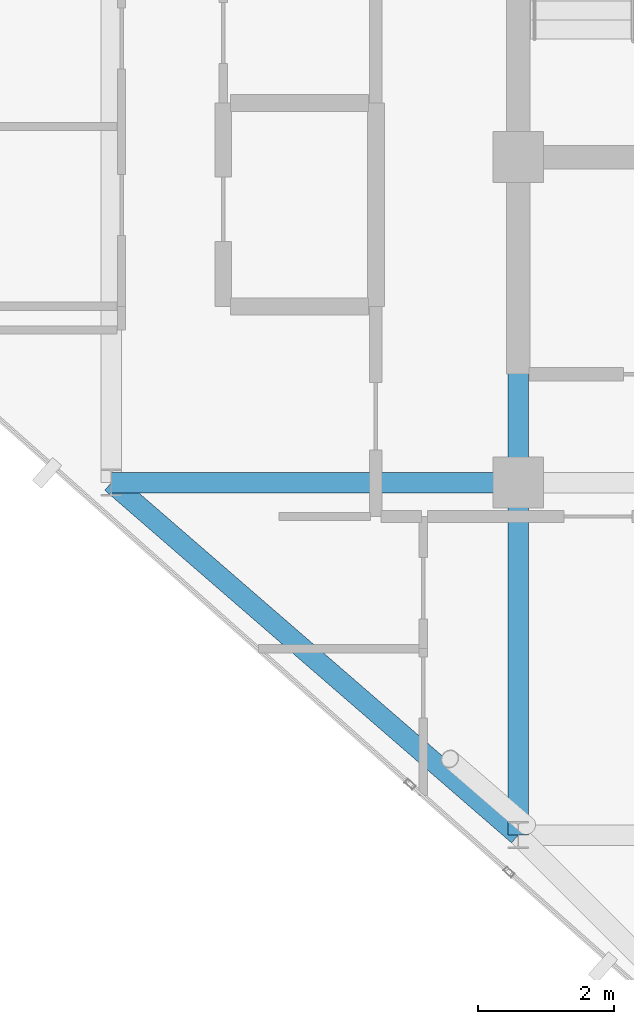
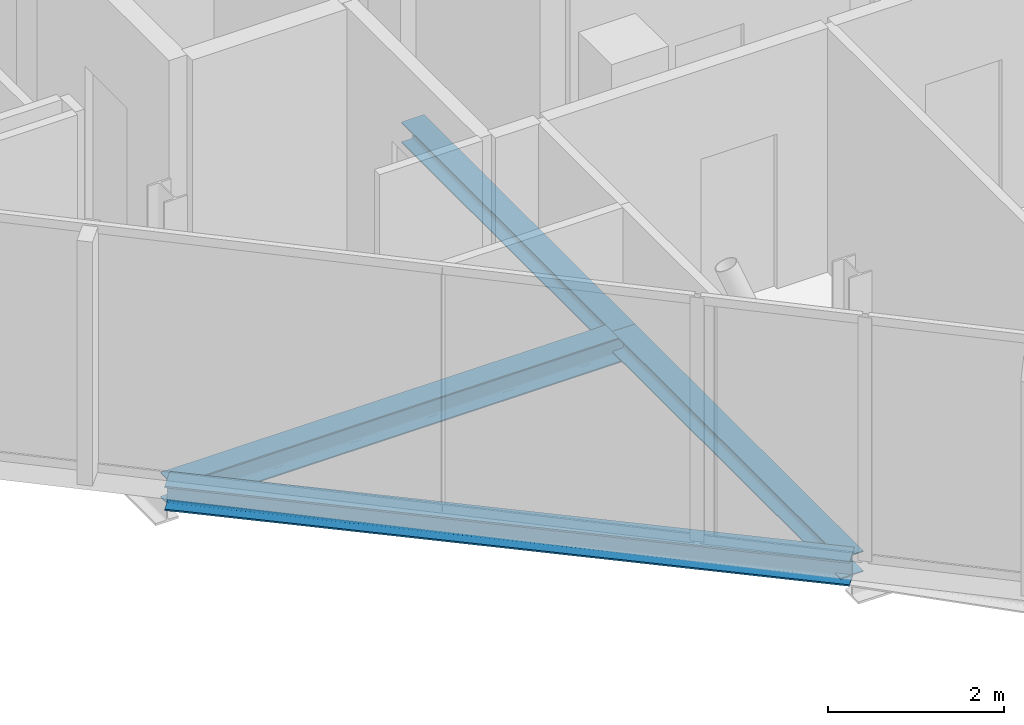
# One storey, part 5 of 28: 4 beams.
"""IFC4 building model written with IfcOpenShell, lengths in metres."""

import ifcopenshell
import ifcopenshell.guid

model = None  # the IFC model being written
_history = None  # IfcOwnerHistory: only IFC2X3 demands one
_inside = {}  # id of a spatial element -> (the spatial element, [elements in it])
_under = {}  # id of a project, library or spatial element -> (it, [spatial elements below it])
_declared = {}  # id of a project -> (the project, [libraries it declares])
_typed = {}  # id of a type object -> (the type object, [elements of that type])
_made_of = {}  # id of a material, layer set ... -> (it, [elements and type objects made of it])


def new_model(schema):
    """Start an empty IFC model of exactly this schema.

    Asked for "IFC4X3", IfcOpenShell would pick the latest addendum, in which some entities
    have other attributes; the version numbers below select the first issue.
    IFC2X3 requires an IfcOwnerHistory on every rooted entity: one is made here for all.
    """
    global model, _history
    if schema == "IFC4X3":
        model = ifcopenshell.file(schema_version=(4, 3, 0, 0))
    else:
        model = ifcopenshell.file(schema=schema)
    _inside.clear()
    _under.clear()
    _declared.clear()
    _typed.clear()
    _made_of.clear()
    _history = None
    if model.schema == "IFC2X3":
        org = make("IfcOrganization", Name="unknown")
        user = make(
            "IfcPersonAndOrganization",
            ThePerson=make("IfcPerson", FamilyName="unknown"),
            TheOrganization=org,
        )
        app = make(
            "IfcApplication",
            ApplicationDeveloper=org,
            Version="unknown",
            ApplicationFullName="unknown",
            ApplicationIdentifier="unknown",
        )
        _history = make(
            "IfcOwnerHistory",
            OwningUser=user,
            OwningApplication=app,
            ChangeAction="ADDED",
            CreationDate=0,
        )
    return model


def make(cls, **values):
    """One entity of the class cls with the attributes given. An attribute that is None is left unset."""
    return model.create_entity(
        cls, **{name: value for name, value in values.items() if value is not None}
    )


def rooted(cls, **values):
    """An entity with a GlobalId (a new one), such as an element, a storey or a relation."""
    return make(cls, GlobalId=ifcopenshell.guid.new(), OwnerHistory=_history, **values)


def si_unit(unit_type, name, prefix=None):
    """IfcSIUnit, for example si_unit("LENGTHUNIT", "METRE", prefix="MILLI")."""
    return make("IfcSIUnit", UnitType=unit_type, Prefix=prefix, Name=name)


def assignment(units):
    """IfcUnitAssignment: the units of a project."""
    return None if units is None else make("IfcUnitAssignment", Units=units)


def point(xyz):
    """IfcCartesianPoint."""
    return None if xyz is None else make("IfcCartesianPoint", Coordinates=xyz)


def direction(xyz):
    """IfcDirection."""
    return None if xyz is None else make("IfcDirection", DirectionRatios=xyz)


def frame(location, z_axis=None, x_axis=None):
    """IfcAxis2Placement3D, a coordinate frame: its origin and axes. An axis left out is left unset."""
    return make(
        "IfcAxis2Placement3D",
        Location=point(location),
        Axis=direction(z_axis),
        RefDirection=direction(x_axis),
    )


def frame_2d(location, x_axis=None):
    """IfcAxis2Placement2D, a coordinate frame in the plane: its origin and x axis."""
    return make(
        "IfcAxis2Placement2D", Location=point(location), RefDirection=direction(x_axis)
    )


def origin():
    """The frame at (0, 0, 0) with its axes left unset."""
    return frame((0.0, 0.0, 0.0))


def origin_2d():
    """The frame at (0, 0) in the plane with its x axis left unset."""
    return frame_2d((0.0, 0.0))


def place(relative_to, where):
    """IfcLocalPlacement: puts the frame where relative to a parent placement (None: the world)."""
    return make(
        "IfcLocalPlacement", PlacementRelTo=relative_to, RelativePlacement=where
    )


def context(
    kind, dimensions, precision=None, world=None, true_north=None, identifier=None
):
    """IfcGeometricRepresentationContext, for example the 3D "Model" context."""
    return make(
        "IfcGeometricRepresentationContext",
        ContextIdentifier=identifier,
        ContextType=kind,
        CoordinateSpaceDimension=dimensions,
        Precision=precision,
        WorldCoordinateSystem=world,
        TrueNorth=true_north,
    )


def subcontext(parent, identifier, kind, view, scale=None):
    """IfcGeometricRepresentationSubContext, for example "Body" below "Model"."""
    return make(
        "IfcGeometricRepresentationSubContext",
        ContextIdentifier=identifier,
        ContextType=kind,
        ParentContext=parent,
        TargetScale=scale,
        TargetView=view,
    )


def project(units=None, contexts=None):
    """IfcProject with its units and contexts."""
    return rooted(
        "IfcProject",
        Name="project",
        RepresentationContexts=contexts,
        UnitsInContext=assignment(units),
    )


def spatial(cls, under=None, at=None, **own):
    """A site, building, storey or space (cls), placed at a placement, below another one or the project."""
    s = rooted(cls, ObjectPlacement=at, **own)
    if under is not None:
        _under.setdefault(under.id(), (under, []))[1].append(s)
    return s


def profile(cls, at=None, kind="AREA", **sizes):
    """A parametric profile (cls). Its sizes go by their IFC names, for example OverallWidth=200.0."""
    return make(cls, ProfileType=kind, Position=at, **sizes)


def i_section(**sizes):
    """IfcIShapeProfileDef."""
    return profile("IfcIShapeProfileDef", **sizes)


def extrude(swept, where, along, depth):
    """IfcExtrudedAreaSolid: the profile swept, set in the frame where, extruded along a direction by depth."""
    return make(
        "IfcExtrudedAreaSolid",
        SweptArea=swept,
        Position=where,
        ExtrudedDirection=direction(along),
        Depth=depth,
    )


def shape(context_of_items, identifier, shape_type, items):
    """IfcShapeRepresentation: the items that make up one representation, for example the "Body"."""
    return make(
        "IfcShapeRepresentation",
        ContextOfItems=context_of_items,
        RepresentationIdentifier=identifier,
        RepresentationType=shape_type,
        Items=items,
    )


def material(Name=None, Category=None):
    """IfcMaterial."""
    return make("IfcMaterial", Name=Name, Category=Category)


def material_profile(
    of_material, cross_section, Name=None, Category=None, Priority=None
):
    """IfcMaterialProfile: a cross section and its material."""
    return make(
        "IfcMaterialProfile",
        Name=Name,
        Material=of_material,
        Profile=cross_section,
        Priority=Priority,
        Category=Category,
    )


def profile_set(profiles, Name=None, composite=None):
    """IfcMaterialProfileSet."""
    return make(
        "IfcMaterialProfileSet",
        Name=Name,
        MaterialProfiles=profiles,
        CompositeProfile=composite,
    )


def made_of(thing, what):
    """Note that an element or type object is made of a material, layer set ...; save() writes the relation."""
    if what is not None:
        _made_of.setdefault(what.id(), (what, []))[1].append(thing)
    return thing


def type_object(cls, material=None, **own):
    """A type object (cls), such as IfcWallType, which elements share."""
    return made_of(rooted(cls, **own), material)


def element(
    cls,
    number,
    at=None,
    inside=None,
    cuts=None,
    type_object=None,
    material=None,
    context=None,
    identifier="Body",
    shape_type=None,
    held_by="IfcProductDefinitionShape",
    body=None,
    shapes=None,
    **own,
):
    """One element of the class cls, such as IfcWall. Its Tag is "e" and its number.

    at: its placement. inside: the storey or other place that contains it. cuts: it is an
    opening in that element (IfcRelVoidsElement). A single representation is given by context,
    identifier, shape_type and body (its items); several are given by shapes. held_by: the class
    of the entity that holds the representations. save() writes the other relations.
    """
    e = rooted(cls, Tag="e%d" % number, ObjectPlacement=at, **own)
    if body is not None:
        shapes = [shape(context, identifier, shape_type, body)]
    if shapes is not None:
        e.Representation = make(held_by, Representations=shapes)
    if inside is not None:
        _inside.setdefault(inside.id(), (inside, []))[1].append(e)
    if cuts is not None:
        rooted(
            "IfcRelVoidsElement", RelatingBuildingElement=cuts, RelatedOpeningElement=e
        )
    if type_object is not None:
        _typed.setdefault(type_object.id(), (type_object, []))[1].append(e)
    return made_of(e, material)


def aggregate(whole, parts):
    """IfcRelAggregates: a whole, such as a stair, and the parts it consists of."""
    return rooted("IfcRelAggregates", RelatingObject=whole, RelatedObjects=parts)


def save(model, path):
    """Write the relations noted so far, then the file.

    IfcRelAggregates (storeys below a building ...), IfcRelContainedInSpatialStructure (elements
    in a storey), IfcRelDefinesByType, IfcRelAssociatesMaterial and IfcRelDeclares: one each for
    every whole, place, type object, material and project.
    """
    for whole, parts in _under.values():
        aggregate(whole, parts)
    for where, things in _inside.values():
        rooted(
            "IfcRelContainedInSpatialStructure",
            RelatedElements=things,
            RelatingStructure=where,
        )
    for kind, things in _typed.values():
        rooted("IfcRelDefinesByType", RelatedObjects=things, RelatingType=kind)
    for what, things in _made_of.values():
        rooted("IfcRelAssociatesMaterial", RelatedObjects=things, RelatingMaterial=what)
    for by, libraries in _declared.values():
        rooted("IfcRelDeclares", RelatingContext=by, RelatedDefinitions=libraries)
    model.write(path)


model = new_model("IFC4")

# Units and contexts
model_context = context("Model", 3, precision=1e-05, world=origin(), true_north=direction((0.0, 1.0)))
body_context = subcontext(model_context, "Body", "Model", "MODEL_VIEW")
ifc_project = project(units=[si_unit("LENGTHUNIT", "METRE"), si_unit("AREAUNIT", "SQUARE_METRE"), si_unit("VOLUMEUNIT", "CUBIC_METRE"), si_unit("PLANEANGLEUNIT", "RADIAN"), si_unit("MASSUNIT", "GRAM", prefix="KILO")], contexts=[model_context])

# Site, building, storey
site_placement = place(None, origin())
site = spatial("IfcSite", under=ifc_project, at=site_placement, CompositionType="ELEMENT")
building_placement = place(site_placement, origin())
building = spatial("IfcBuilding", under=site, at=building_placement, Name="Keshet Zoharim Tower", CompositionType="ELEMENT")
storey_placement = place(building_placement, frame((0.0, 0.0, 251.0)))
storey = spatial("IfcBuildingStorey", under=building, at=storey_placement, Name="L62", CompositionType="ELEMENT", Elevation=251.0)

# Beams
ifc_material = material(Name="Steel S355", Category="steel")
ifc_material_profile_1 = material_profile(ifc_material, i_section(OverallWidth=0.300048828125, OverallDepth=0.2900390625, WebThickness=0.008544921875, FlangeThickness=0.013916015625, FilletRadius=0.027099609375, at=origin_2d()), Name="HEA300")
ifc_profile_set_1 = profile_set([ifc_material_profile_1], Name="Steel S355")
beam_type_1 = type_object("IfcBeamType", Name="BM-PRI-HA300", PredefinedType="BEAM", material=ifc_profile_set_1)
beam_1_placement = place(storey_placement, frame((15.0, 12.699951171875, -0.455078125), z_axis=(0.0, 1.0, 0.0), x_axis=(-1.0, 0.0, 0.0)))
element("IfcBeam", 1, at=beam_1_placement, inside=storey, type_object=beam_type_1, Name="L62 Primary Girder Y-002", PredefinedType="BEAM", context=body_context, shape_type="SweptSolid", body=[
    extrude(i_section(OverallWidth=0.300048828125, OverallDepth=0.2900390625, WebThickness=0.008544921875, FlangeThickness=0.013916015625, FilletRadius=0.027099609375, at=origin_2d()), origin(), (0.0, 0.0, 1.0), 5.199951171875),
])
beam_2_placement = place(storey_placement, frame((15.0, 17.89990234375, -0.455078125), z_axis=(0.0, 1.0, 0.0), x_axis=(-1.0, 0.0, 0.0)))
element("IfcBeam", 2, at=beam_2_placement, inside=storey, type_object=beam_type_1, Name="L62 Primary Girder Y-003", PredefinedType="BEAM", context=body_context, shape_type="SweptSolid", body=[
    extrude(i_section(OverallWidth=0.300048828125, OverallDepth=0.2900390625, WebThickness=0.008544921875, FlangeThickness=0.013916015625, FilletRadius=0.027099609375, at=origin_2d()), origin(), (0.0, 0.0, 1.0), 4.800048828125),
])
ifc_material_profile_2 = material_profile(ifc_material, i_section(OverallWidth=0.300048828125, OverallDepth=0.35009765625, WebThickness=0.010009765625, FlangeThickness=0.017578125, FilletRadius=0.027099609375, at=origin_2d()), Name="HEA360")
ifc_profile_set_2 = profile_set([ifc_material_profile_2], Name="Steel S355")
beam_type_2 = type_object("IfcBeamType", Name="BM-PRI-HA360", PredefinedType="BEAM", material=ifc_profile_set_2)
beam_3_placement = place(storey_placement, frame((9.0, 17.89990234375, -0.485107421875), z_axis=(1.0, 0.0, 0.0), x_axis=(0.0, 1.0, 0.0)))
element("IfcBeam", 3, at=beam_3_placement, inside=storey, type_object=beam_type_2, Name="L62 Primary Girder X-005", PredefinedType="BEAM", context=body_context, shape_type="SweptSolid", body=[
    extrude(i_section(OverallWidth=0.300048828125, OverallDepth=0.35009765625, WebThickness=0.010009765625, FlangeThickness=0.017578125, FilletRadius=0.027099609375, at=origin_2d()), origin(), (0.0, 0.0, 1.0), 6.0),
])
ifc_material_profile_3 = material_profile(ifc_material, i_section(OverallWidth=0.300048828125, OverallDepth=0.340087890625, WebThickness=0.011962890625, FlangeThickness=0.021484375, FilletRadius=0.027099609375, at=origin_2d()), Name="HEB340")
ifc_profile_set_3 = profile_set([ifc_material_profile_3], Name="Steel S355")
beam_type_3 = type_object("IfcBeamType", Name="BM-SPN-HB340", PredefinedType="SPANDREL", material=ifc_profile_set_3)
beam_4_placement = place(storey_placement, frame((9.0, 17.89990234375, -0.47998046875), z_axis=(0.755692126483, -0.654927026447, 0.0), x_axis=(0.654927026447, 0.755692126483, 0.0)))
element("IfcBeam", 4, at=beam_4_placement, inside=storey, type_object=beam_type_3, Name="L62 Perimeter Spandrel Beam 02", PredefinedType="SPANDREL", context=body_context, shape_type="SweptSolid", body=[
    extrude(i_section(OverallWidth=0.300048828125, OverallDepth=0.340087890625, WebThickness=0.011962890625, FlangeThickness=0.021484375, FilletRadius=0.027099609375, at=origin_2d()), origin(), (0.0, 0.0, 1.0), 7.939697265625),
])

save(model, "model.ifc")
